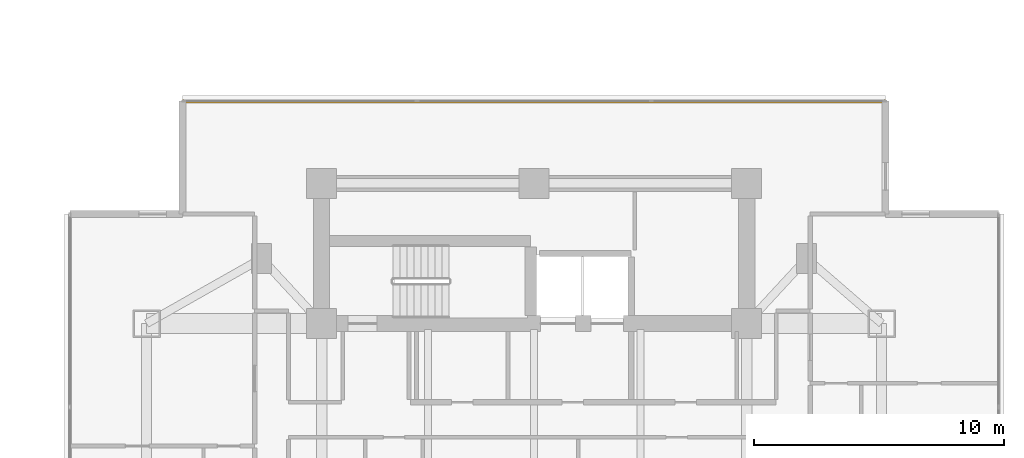
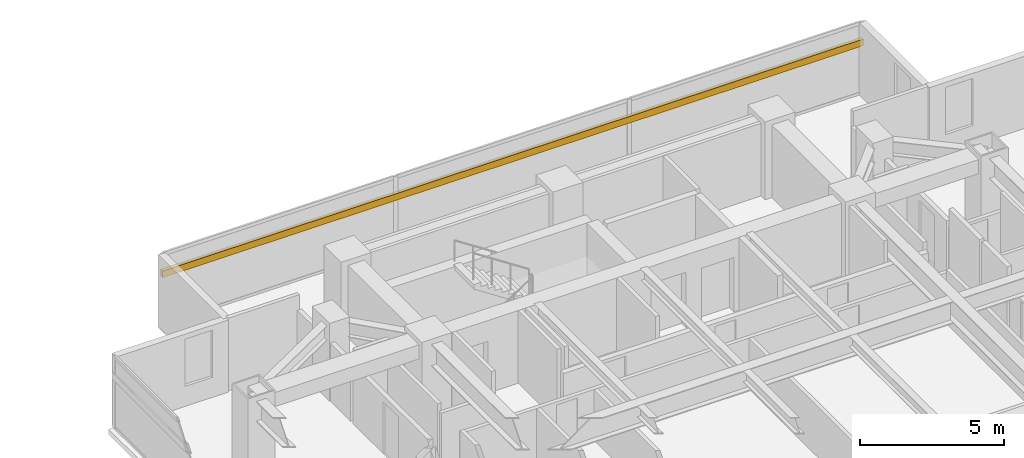
# One storey, part 26 of 26: 1 shading device.
"""IFC4 building model written with IfcOpenShell, lengths in metres."""

from ifc_helpers import new_model, si_unit, direction, frame, origin, origin_2d, place, context, subcontext, project, spatial, rectangle, extrude, material, material_profile, profile_set, type_object, element, save


model = new_model("IFC4")

# Units and contexts
model_context = context("Model", 3, precision=1e-05, world=origin(), true_north=direction((0.0, 1.0)))
body_context = subcontext(model_context, "Body", "Model", "MODEL_VIEW")
ifc_project = project(units=[si_unit("LENGTHUNIT", "METRE"), si_unit("AREAUNIT", "SQUARE_METRE"), si_unit("VOLUMEUNIT", "CUBIC_METRE"), si_unit("PLANEANGLEUNIT", "RADIAN"), si_unit("MASSUNIT", "GRAM", prefix="KILO")], contexts=[model_context])

# Site, building, storey
site_placement = place(None, origin())
site = spatial("IfcSite", under=ifc_project, at=site_placement, CompositionType="ELEMENT")
building_placement = place(site_placement, origin())
building = spatial("IfcBuilding", under=site, at=building_placement, Name="Mirazonda Arch Towers", CompositionType="ELEMENT")
storey_placement = place(building_placement, frame((0.0, 0.0, 108.199951171875)))
storey = spatial("IfcBuildingStorey", under=building, at=storey_placement, Name="L30", CompositionType="ELEMENT", Elevation=108.199951171875)

# Shading device
ifc_material = material(Name="Kiln-Fired Architectural Terracotta", Category="masonry")
ifc_material_profile = material_profile(ifc_material, rectangle(XDim=0.139892578125, YDim=0.280029296875, at=origin_2d()), Name="TERRA-BAG-140x280")
ifc_profile_set = profile_set([ifc_material_profile], Name="Kiln-Fired Architectural Terracotta")
shading_device_type = type_object("IfcShadingDeviceType", Name="BAGUETTE-3", PredefinedType="USERDEFINED", material=ifc_profile_set)
shading_device_placement = place(storey_placement, frame((62.44580078125, 44.097412109375, 2.203369140625), z_axis=(1.0, 0.0, 0.0), x_axis=(0.0, 1.0, 0.0)))
element("IfcShadingDevice", 1, at=shading_device_placement, inside=storey, type_object=shading_device_type, Name="L30 Glazed Terracotta Sun-Screen Baguette CW-L30-T2-N", ObjectType="BAGUETTE", PredefinedType="USERDEFINED", context=body_context, shape_type="SweptSolid", body=[
    extrude(rectangle(XDim=0.139892578125, YDim=0.280029296875, at=origin_2d()), origin(), (0.0, 0.0, 1.0), 28.1083984375),
])

save(model, "model.ifc")
